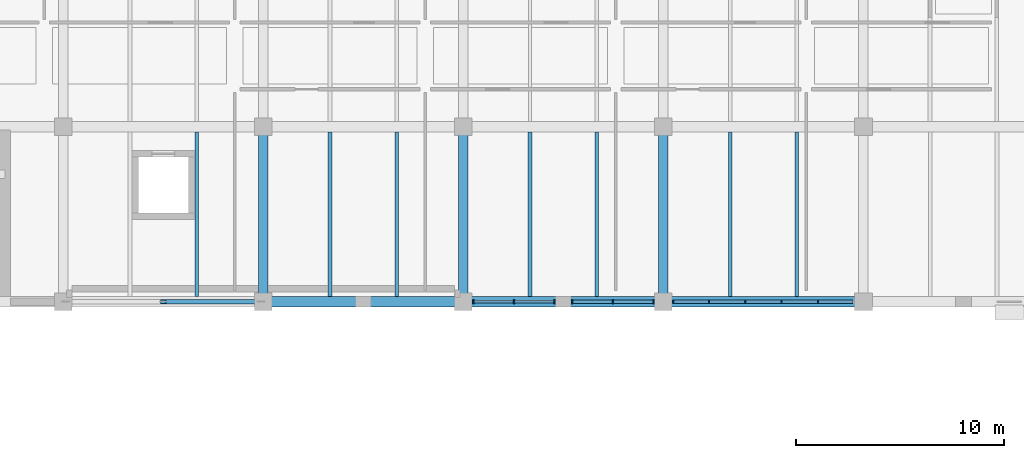
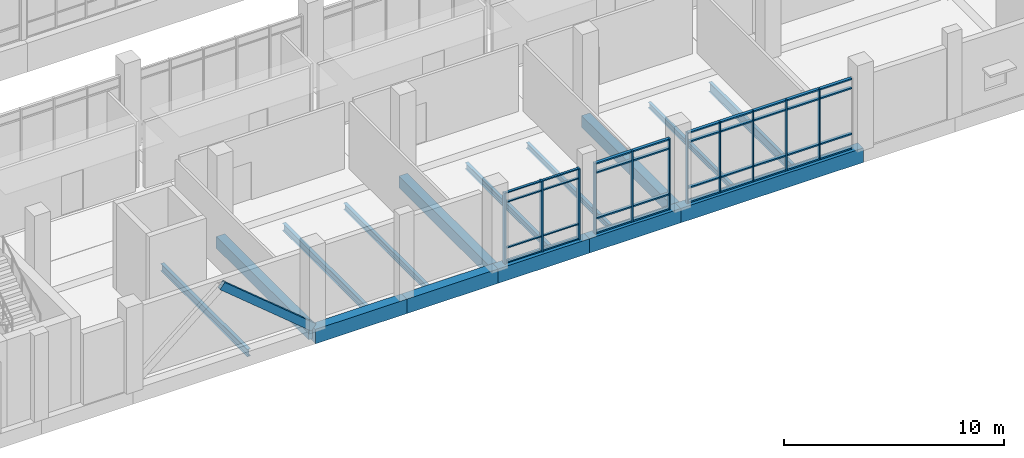
# One storey, part 45 of 152: 48 members, 15 beams, 3 elements without a shape of their own.
"""IFC4 building model written with IfcOpenShell, lengths in metres."""

from ifc_helpers import new_model, si_unit, direction, frame, origin, origin_2d, place, context, subcontext, project, spatial, rectangle, hollow_rectangle, i_section, extrude, material, material_profile, profile_set, type_object, element, aggregate, save


model = new_model("IFC4")

# Units and contexts
model_context = context("Model", 3, precision=1e-05, world=origin(), true_north=direction((0.0, 1.0)))
body_context = subcontext(model_context, "Body", "Model", "MODEL_VIEW")
ifc_project = project(units=[si_unit("LENGTHUNIT", "METRE"), si_unit("AREAUNIT", "SQUARE_METRE"), si_unit("VOLUMEUNIT", "CUBIC_METRE"), si_unit("PLANEANGLEUNIT", "RADIAN"), si_unit("MASSUNIT", "GRAM", prefix="KILO")], contexts=[model_context])

# Site, building, storey
site_placement = place(None, origin())
site = spatial("IfcSite", under=ifc_project, at=site_placement, CompositionType="ELEMENT")
building_placement = place(site_placement, origin())
building = spatial("IfcBuilding", under=site, at=building_placement, Name="Oolite Switchyard Hospital", CompositionType="ELEMENT")
storey_placement = place(building_placement, frame((0.0, 0.0, 5.10009765625)))
storey = spatial("IfcBuildingStorey", under=building, at=storey_placement, Name="L01", CompositionType="ELEMENT", Elevation=5.10009765625)

# Beams
ifc_material_1 = material(Name="Concrete C40/50", Category="concrete")
ifc_material_profile_1 = material_profile(ifc_material_1, rectangle(XDim=0.449951171875, YDim=0.64990234375, at=origin_2d()), Name="RCB450X650")
ifc_profile_set_1 = profile_set([ifc_material_profile_1], Name="Concrete C40/50")
beam_type_1 = type_object("IfcBeamType", Name="BM-RC450X650", PredefinedType="BEAM", material=ifc_profile_set_1)
for number, where, z_axis, x_axis, name in (
    (1, (163.199951171875, 8.39990234375, -0.3251953125), (0.0, 1.0, 0.0), (-1.0, 0.0, 0.0), "L01 Y-Girder 487"),
    (2, (172.800048828125, 8.39990234375, -0.3251953125), (0.0, 1.0, 0.0), (-1.0, 0.0, 0.0), "L01 Y-Girder 499"),
    (3, (182.39990234375, 8.39990234375, -0.3251953125), (0.0, 1.0, 0.0), (-1.0, 0.0, 0.0), "L01 Y-Girder 511"),
):
    element("IfcBeam", number, at=place(storey_placement, frame(where, z_axis=z_axis, x_axis=x_axis)), inside=storey, type_object=beam_type_1, Name=name, PredefinedType="BEAM", context=body_context, shape_type="SweptSolid", body=[
        extrude(rectangle(XDim=0.449951171875, YDim=0.64990234375, at=origin_2d()), origin(), (0.0, 0.0, 1.0), 8.400146484375),
    ])
ifc_material_profile_2 = material_profile(ifc_material_1, rectangle(XDim=0.5, YDim=0.800048828125, at=origin_2d()), Name="RCB500X800")
ifc_profile_set_2 = profile_set([ifc_material_profile_2], Name="Concrete C40/50")
beam_type_2 = type_object("IfcBeamType", Name="BM-RC500X800", PredefinedType="BEAM", material=ifc_profile_set_2)
for number, where, z_axis, x_axis, name in (
    (4, (163.199951171875, 8.39990234375, -0.400146484375), (1.0, 0.0, 0.0), (0.0, 1.0, 0.0), "L01 X-Girder 19"),
    (5, (168.0, 8.39990234375, -0.400146484375), (1.0, 0.0, 0.0), (0.0, 1.0, 0.0), "L01 X-Girder 20"),
    (6, (172.800048828125, 8.39990234375, -0.400146484375), (1.0, 0.0, 0.0), (0.0, 1.0, 0.0), "L01 X-Girder 21"),
):
    element("IfcBeam", number, at=place(storey_placement, frame(where, z_axis=z_axis, x_axis=x_axis)), inside=storey, type_object=beam_type_2, Name=name, PredefinedType="BEAM", context=body_context, shape_type="SweptSolid", body=[
        extrude(rectangle(XDim=0.5, YDim=0.800048828125, at=origin_2d()), origin(), (0.0, 0.0, 1.0), 4.800048828125),
    ])
beam_1_placement = place(storey_placement, frame((177.60009765625, 8.39990234375, -0.400146484375), z_axis=(1.0, 0.0, 0.0), x_axis=(0.0, 1.0, 0.0)))
element("IfcBeam", 7, at=beam_1_placement, inside=storey, type_object=beam_type_2, Name="L01 X-Girder 22", PredefinedType="BEAM", context=body_context, shape_type="SweptSolid", body=[
    extrude(rectangle(XDim=0.5, YDim=0.800048828125, at=origin_2d()), origin(), (0.0, 0.0, 1.0), 4.7998046875),
])
beam_2_placement = place(storey_placement, frame((182.39990234375, 8.39990234375, -0.400146484375), z_axis=(1.0, 0.0, 0.0), x_axis=(0.0, 1.0, 0.0)))
element("IfcBeam", 8, at=beam_2_placement, inside=storey, type_object=beam_type_2, Name="L01 X-Girder 23", PredefinedType="BEAM", context=body_context, shape_type="SweptSolid", body=[
    extrude(rectangle(XDim=0.5, YDim=0.800048828125, at=origin_2d()), origin(), (0.0, 0.0, 1.0), 9.60009765625),
])
ifc_material_2 = material(Name="Steel ASTM A992 Grade 50", Category="steel")
ifc_material_profile_3 = material_profile(ifc_material_2, i_section(OverallWidth=0.1650390625, OverallDepth=0.31005859375, WebThickness=0.006103515625, FlangeThickness=0.010009765625, at=origin_2d()), Name="W12X26")
ifc_profile_set_3 = profile_set([ifc_material_profile_3], Name="Steel ASTM A992 Grade 50")
beam_type_3 = type_object("IfcBeamType", Name="BM-W12X26", PredefinedType="JOIST", material=ifc_profile_set_3)
for number, where, z_axis, x_axis, name in (
    (9, (179.199951171875, 8.64990234375, -0.43017578125), (0.0, 1.0, 0.0), (-1.0, 0.0, 0.0), "L01 Secondary Steel Joist 913"),
    (10, (185.60009765625, 8.64990234375, -0.43017578125), (0.0, 1.0, 0.0), (-1.0, 0.0, 0.0), "L01 Secondary Steel Joist 928"),
):
    element("IfcBeam", number, at=place(storey_placement, frame(where, z_axis=z_axis, x_axis=x_axis)), inside=storey, type_object=beam_type_3, Name=name, PredefinedType="JOIST", context=body_context, shape_type="SweptSolid", body=[
        extrude(i_section(OverallWidth=0.1650390625, OverallDepth=0.31005859375, WebThickness=0.006103515625, FlangeThickness=0.010009765625, at=origin_2d()), origin(), (0.0, 0.0, 1.0), 7.900146484375),
    ])
ifc_material_profile_4 = material_profile(ifc_material_2, i_section(OverallWidth=0.1708984375, OverallDepth=0.35107421875, WebThickness=0.007080078125, FlangeThickness=0.010009765625, at=origin_2d()), Name="W14X30")
ifc_profile_set_4 = profile_set([ifc_material_profile_4], Name="Steel ASTM A992 Grade 50")
beam_type_4 = type_object("IfcBeamType", Name="BM-W14X30", PredefinedType="JOIST", material=ifc_profile_set_4)
for number, where, z_axis, x_axis, name in (
    (11, (169.60009765625, 8.64990234375, -0.4501953125), (0.0, 1.0, 0.0), (-1.0, 0.0, 0.0), "L01 Secondary Steel Joist 893"),
    (12, (176.0, 8.64990234375, -0.4501953125), (0.0, 1.0, 0.0), (-1.0, 0.0, 0.0), "L01 Secondary Steel Joist 912"),
):
    element("IfcBeam", number, at=place(storey_placement, frame(where, z_axis=z_axis, x_axis=x_axis)), inside=storey, type_object=beam_type_4, Name=name, PredefinedType="JOIST", context=body_context, shape_type="SweptSolid", body=[
        extrude(i_section(OverallWidth=0.1708984375, OverallDepth=0.35107421875, WebThickness=0.007080078125, FlangeThickness=0.010009765625, at=origin_2d()), origin(), (0.0, 0.0, 1.0), 7.900146484375),
    ])
ifc_material_profile_5 = material_profile(ifc_material_2, i_section(OverallWidth=0.177978515625, OverallDepth=0.403076171875, WebThickness=0.008056640625, FlangeThickness=0.010986328125, at=origin_2d()), Name="W16X36")
ifc_profile_set_5 = profile_set([ifc_material_profile_5], Name="Steel ASTM A992 Grade 50")
beam_type_5 = type_object("IfcBeamType", Name="BM-W16X36", PredefinedType="JOIST", material=ifc_profile_set_5)
for number, where, z_axis, x_axis, name in (
    (13, (160.0, 8.64990234375, -0.47705078125), (0.0, 1.0, 0.0), (-1.0, 0.0, 0.0), "L01 Secondary Steel Joist 873"),
    (14, (166.39990234375, 8.64990234375, -0.47705078125), (0.0, 1.0, 0.0), (-1.0, 0.0, 0.0), "L01 Secondary Steel Joist 892"),
):
    element("IfcBeam", number, at=place(storey_placement, frame(where, z_axis=z_axis, x_axis=x_axis)), inside=storey, type_object=beam_type_5, Name=name, PredefinedType="JOIST", context=body_context, shape_type="SweptSolid", body=[
        extrude(i_section(OverallWidth=0.177978515625, OverallDepth=0.403076171875, WebThickness=0.008056640625, FlangeThickness=0.010986328125, at=origin_2d()), origin(), (0.0, 0.0, 1.0), 7.900146484375),
    ])
ifc_material_profile_6 = material_profile(ifc_material_2, i_section(OverallWidth=0.166015625, OverallDepth=0.529052734375, WebThickness=0.010009765625, FlangeThickness=0.013916015625, at=origin_2d()), Name="W21X50")
ifc_profile_set_6 = profile_set([ifc_material_profile_6], Name="Steel ASTM A992 Grade 50")
beam_type_6 = type_object("IfcBeamType", Name="BM-W21X50", PredefinedType="JOIST", material=ifc_profile_set_6)
beam_3_placement = place(storey_placement, frame((188.800048828125, 8.64990234375, -0.5400390625), z_axis=(0.0, 1.0, 0.0), x_axis=(-1.0, 0.0, 0.0)))
element("IfcBeam", 15, at=beam_3_placement, inside=storey, type_object=beam_type_6, Name="L01 Secondary Steel Joist 929", PredefinedType="JOIST", context=body_context, shape_type="SweptSolid", body=[
    extrude(i_section(OverallWidth=0.166015625, OverallDepth=0.529052734375, WebThickness=0.010009765625, FlangeThickness=0.013916015625, at=origin_2d()), origin(), (0.0, 0.0, 1.0), 7.900146484375),
])

# Curtain wall, members
ifc_material_3 = material(Name="Thermally broken aluminum frame with laminated impact glazing", Category="aluminium")
curtain_wall_type_1 = type_object("IfcCurtainWallType", Name="CW-UNIT-96X48", PredefinedType="USERDEFINED", material=ifc_material_3)
curtain_wall_1_placement = place(storey_placement, origin())
curtain_wall_1 = element("IfcCurtainWall", 16, at=curtain_wall_1_placement, inside=storey, type_object=curtain_wall_type_1, Name="L01 Unitised Curtain Wall 101", ObjectType="UNITISED", PredefinedType="USERDEFINED")
ifc_material_4 = material(Name="Aluminium 6063-T6", Category="aluminium")
ifc_material_profile_7 = material_profile(ifc_material_4, rectangle(XDim=0.159912109375, YDim=0.06005859375, at=origin_2d()), Name="CWM60X160")
ifc_profile_set_7 = profile_set([ifc_material_profile_7], Name="Aluminium 6063-T6")
member_type_1 = type_object("IfcMemberType", Name="CW-MUL-180", PredefinedType="MULLION", material=ifc_profile_set_7)
member_1_placement = place(storey_placement, frame((189.81591796875, 8.39990234375, 0.0), z_axis=(0.0, 0.0, 1.0), x_axis=(0.0, -1.0, 0.0)))
member_1 = element("IfcMember", 17, at=member_1_placement, type_object=member_type_1, Name="CW-02 mullion 2", PredefinedType="MULLION", context=body_context, shape_type="SweptSolid", body=[
    extrude(rectangle(XDim=0.159912109375, YDim=0.06005859375, at=origin_2d()), origin(), (0.0, 0.0, 1.0), 3.93994140625),
])
member_2_placement = place(storey_placement, frame((188.072021484375, 8.39990234375, 0.0), z_axis=(0.0, 0.0, 1.0), x_axis=(0.0, -1.0, 0.0)))
member_2 = element("IfcMember", 18, at=member_2_placement, type_object=member_type_1, Name="CW-02 mullion 3", PredefinedType="MULLION", context=body_context, shape_type="SweptSolid", body=[
    extrude(rectangle(XDim=0.159912109375, YDim=0.06005859375, at=origin_2d()), origin(), (0.0, 0.0, 1.0), 3.93994140625),
])
member_3_placement = place(storey_placement, frame((186.327880859375, 8.39990234375, 0.0), z_axis=(0.0, 0.0, 1.0), x_axis=(0.0, -1.0, 0.0)))
member_3 = element("IfcMember", 19, at=member_3_placement, type_object=member_type_1, Name="CW-02 mullion 4", PredefinedType="MULLION", context=body_context, shape_type="SweptSolid", body=[
    extrude(rectangle(XDim=0.159912109375, YDim=0.06005859375, at=origin_2d()), origin(), (0.0, 0.0, 1.0), 3.93994140625),
])
member_4_placement = place(storey_placement, frame((184.583984375, 8.39990234375, 0.0), z_axis=(0.0, 0.0, 1.0), x_axis=(0.0, -1.0, 0.0)))
member_4 = element("IfcMember", 20, at=member_4_placement, type_object=member_type_1, Name="CW-02 mullion 5", PredefinedType="MULLION", context=body_context, shape_type="SweptSolid", body=[
    extrude(rectangle(XDim=0.159912109375, YDim=0.06005859375, at=origin_2d()), origin(), (0.0, 0.0, 1.0), 3.93994140625),
])
member_5_placement = place(storey_placement, frame((182.8701171875, 8.39990234375, 0.0), z_axis=(0.0, 0.0, 1.0), x_axis=(0.0, -1.0, 0.0)))
member_5 = element("IfcMember", 21, at=member_5_placement, type_object=member_type_1, Name="CW-02 mullion 6", PredefinedType="MULLION", context=body_context, shape_type="SweptSolid", body=[
    extrude(rectangle(XDim=0.159912109375, YDim=0.06005859375, at=origin_2d()), origin(), (0.0, 0.0, 1.0), 3.93994140625),
])

curtain_wall_type_2 = type_object("IfcCurtainWallType", Name="CW-UNIT-84X48", PredefinedType="USERDEFINED", material=ifc_material_3)
curtain_wall_2_placement = place(storey_placement, origin())
curtain_wall_2 = element("IfcCurtainWall", 22, at=curtain_wall_2_placement, inside=storey, type_object=curtain_wall_type_2, Name="L01 Unitised Curtain Wall 99", ObjectType="UNITISED", PredefinedType="USERDEFINED")
ifc_material_profile_8 = material_profile(ifc_material_4, rectangle(XDim=0.179931640625, YDim=0.070068359375, at=origin_2d()), Name="CWM70X180")
ifc_profile_set_8 = profile_set([ifc_material_profile_8], Name="Aluminium 6063-T6")
member_type_2 = type_object("IfcMemberType", Name="CW-MUL-220", PredefinedType="MULLION", material=ifc_profile_set_8)
member_6_placement = place(storey_placement, frame((181.925048828125, 8.39990234375, 0.0), z_axis=(0.0, 0.0, 1.0), x_axis=(0.0, -1.0, 0.0)))
member_6 = element("IfcMember", 23, at=member_6_placement, type_object=member_type_2, Name="CW-07 mullion 1", PredefinedType="MULLION", context=body_context, shape_type="SweptSolid", body=[
    extrude(rectangle(XDim=0.179931640625, YDim=0.070068359375, at=origin_2d()), origin(), (0.0, 0.0, 1.0), 3.93994140625),
])
member_7_placement = place(storey_placement, frame((179.97509765625, 8.39990234375, 0.0), z_axis=(0.0, 0.0, 1.0), x_axis=(0.0, -1.0, 0.0)))
member_7 = element("IfcMember", 24, at=member_7_placement, type_object=member_type_2, Name="CW-07 mullion 2", PredefinedType="MULLION", context=body_context, shape_type="SweptSolid", body=[
    extrude(rectangle(XDim=0.179931640625, YDim=0.070068359375, at=origin_2d()), origin(), (0.0, 0.0, 1.0), 3.93994140625),
])
member_8_placement = place(storey_placement, frame((178.02490234375, 8.39990234375, 0.0), z_axis=(0.0, 0.0, 1.0), x_axis=(0.0, -1.0, 0.0)))
member_8 = element("IfcMember", 25, at=member_8_placement, type_object=member_type_2, Name="CW-07 mullion 3", PredefinedType="MULLION", context=body_context, shape_type="SweptSolid", body=[
    extrude(rectangle(XDim=0.179931640625, YDim=0.070068359375, at=origin_2d()), origin(), (0.0, 0.0, 1.0), 3.93994140625),
])

curtain_wall_3_placement = place(storey_placement, origin())
curtain_wall_3 = element("IfcCurtainWall", 26, at=curtain_wall_3_placement, inside=storey, type_object=curtain_wall_type_2, Name="L01 Unitised Curtain Wall 100", ObjectType="UNITISED", PredefinedType="USERDEFINED")
ifc_material_profile_9 = material_profile(ifc_material_4, rectangle(XDim=0.199951171875, YDim=0.074951171875, at=origin_2d()), Name="CWM75X200")
ifc_profile_set_9 = profile_set([ifc_material_profile_9], Name="Aluminium 6063-T6")
member_type_3 = type_object("IfcMemberType", Name="CW-MUL-260", PredefinedType="MULLION", material=ifc_profile_set_9)
member_9_placement = place(storey_placement, frame((177.172607421875, 8.39990234375, 0.0), z_axis=(0.0, 0.0, 1.0), x_axis=(0.0, -1.0, 0.0)))
member_9 = element("IfcMember", 27, at=member_9_placement, type_object=member_type_3, Name="CW-07 mullion 1", PredefinedType="MULLION", context=body_context, shape_type="SweptSolid", body=[
    extrude(rectangle(XDim=0.199951171875, YDim=0.074951171875, at=origin_2d()), origin(), (0.0, 0.0, 1.0), 3.93994140625),
])
member_10_placement = place(storey_placement, frame((175.22509765625, 8.39990234375, 0.0), z_axis=(0.0, 0.0, 1.0), x_axis=(0.0, -1.0, 0.0)))
member_10 = element("IfcMember", 28, at=member_10_placement, type_object=member_type_3, Name="CW-07 mullion 2", PredefinedType="MULLION", context=body_context, shape_type="SweptSolid", body=[
    extrude(rectangle(XDim=0.199951171875, YDim=0.074951171875, at=origin_2d()), origin(), (0.0, 0.0, 1.0), 3.93994140625),
])
member_11_placement = place(storey_placement, frame((173.277587890625, 8.39990234375, 0.0), z_axis=(0.0, 0.0, 1.0), x_axis=(0.0, -1.0, 0.0)))
member_11 = element("IfcMember", 29, at=member_11_placement, type_object=member_type_3, Name="CW-07 mullion 3", PredefinedType="MULLION", context=body_context, shape_type="SweptSolid", body=[
    extrude(rectangle(XDim=0.199951171875, YDim=0.074951171875, at=origin_2d()), origin(), (0.0, 0.0, 1.0), 3.93994140625),
])
ifc_material_profile_10 = material_profile(ifc_material_4, rectangle(XDim=0.1201171875, YDim=0.06005859375, at=origin_2d()), Name="CWT60X120")
ifc_profile_set_10 = profile_set([ifc_material_profile_10], Name="Aluminium 6063-T6")
member_type_4 = type_object("IfcMemberType", Name="CW-TRN-150", PredefinedType="USERDEFINED", material=ifc_profile_set_10)
member_12_placement = place(storey_placement, frame((177.135009765625, 8.39990234375, 0.02978515625), z_axis=(-1.0, 0.0, 0.0), x_axis=(0.0, -1.0, 0.0)))
member_12 = element("IfcMember", 30, at=member_12_placement, type_object=member_type_4, Name="CW-07 transom 1.1", ObjectType="TRANSOM", PredefinedType="USERDEFINED", context=body_context, shape_type="SweptSolid", body=[
    extrude(rectangle(XDim=0.1201171875, YDim=0.06005859375, at=origin_2d()), origin(), (0.0, 0.0, 1.0), 1.87255859375),
])
member_13_placement = place(storey_placement, frame((177.135009765625, 8.39990234375, 0.849853515625), z_axis=(-1.0, 0.0, 0.0), x_axis=(0.0, -1.0, 0.0)))
member_13 = element("IfcMember", 31, at=member_13_placement, type_object=member_type_4, Name="CW-07 transom 1.2", ObjectType="TRANSOM", PredefinedType="USERDEFINED", context=body_context, shape_type="SweptSolid", body=[
    extrude(rectangle(XDim=0.1201171875, YDim=0.06005859375, at=origin_2d()), origin(), (0.0, 0.0, 1.0), 1.87255859375),
])
member_14_placement = place(storey_placement, frame((177.135009765625, 8.39990234375, 3.389892578125), z_axis=(-1.0, 0.0, 0.0), x_axis=(0.0, -1.0, 0.0)))
member_14 = element("IfcMember", 32, at=member_14_placement, type_object=member_type_4, Name="CW-07 transom 1.3", ObjectType="TRANSOM", PredefinedType="USERDEFINED", context=body_context, shape_type="SweptSolid", body=[
    extrude(rectangle(XDim=0.1201171875, YDim=0.06005859375, at=origin_2d()), origin(), (0.0, 0.0, 1.0), 1.87255859375),
])
member_15_placement = place(storey_placement, frame((177.135009765625, 8.39990234375, 3.909912109375), z_axis=(-1.0, 0.0, 0.0), x_axis=(0.0, -1.0, 0.0)))
member_15 = element("IfcMember", 33, at=member_15_placement, type_object=member_type_4, Name="CW-07 transom 1.4", ObjectType="TRANSOM", PredefinedType="USERDEFINED", context=body_context, shape_type="SweptSolid", body=[
    extrude(rectangle(XDim=0.1201171875, YDim=0.06005859375, at=origin_2d()), origin(), (0.0, 0.0, 1.0), 1.87255859375),
])
member_16_placement = place(storey_placement, frame((175.1875, 8.39990234375, 0.02978515625), z_axis=(-1.0, 0.0, 0.0), x_axis=(0.0, -1.0, 0.0)))
member_16 = element("IfcMember", 34, at=member_16_placement, type_object=member_type_4, Name="CW-07 transom 2.1", ObjectType="TRANSOM", PredefinedType="USERDEFINED", context=body_context, shape_type="SweptSolid", body=[
    extrude(rectangle(XDim=0.1201171875, YDim=0.06005859375, at=origin_2d()), origin(), (0.0, 0.0, 1.0), 1.87255859375),
])
member_17_placement = place(storey_placement, frame((175.1875, 8.39990234375, 0.849853515625), z_axis=(-1.0, 0.0, 0.0), x_axis=(0.0, -1.0, 0.0)))
member_17 = element("IfcMember", 35, at=member_17_placement, type_object=member_type_4, Name="CW-07 transom 2.2", ObjectType="TRANSOM", PredefinedType="USERDEFINED", context=body_context, shape_type="SweptSolid", body=[
    extrude(rectangle(XDim=0.1201171875, YDim=0.06005859375, at=origin_2d()), origin(), (0.0, 0.0, 1.0), 1.87255859375),
])
member_18_placement = place(storey_placement, frame((175.1875, 8.39990234375, 3.389892578125), z_axis=(-1.0, 0.0, 0.0), x_axis=(0.0, -1.0, 0.0)))
member_18 = element("IfcMember", 36, at=member_18_placement, type_object=member_type_4, Name="CW-07 transom 2.3", ObjectType="TRANSOM", PredefinedType="USERDEFINED", context=body_context, shape_type="SweptSolid", body=[
    extrude(rectangle(XDim=0.1201171875, YDim=0.06005859375, at=origin_2d()), origin(), (0.0, 0.0, 1.0), 1.87255859375),
])
member_19_placement = place(storey_placement, frame((175.1875, 8.39990234375, 3.909912109375), z_axis=(-1.0, 0.0, 0.0), x_axis=(0.0, -1.0, 0.0)))
member_19 = element("IfcMember", 37, at=member_19_placement, type_object=member_type_4, Name="CW-07 transom 2.4", ObjectType="TRANSOM", PredefinedType="USERDEFINED", context=body_context, shape_type="SweptSolid", body=[
    extrude(rectangle(XDim=0.1201171875, YDim=0.06005859375, at=origin_2d()), origin(), (0.0, 0.0, 1.0), 1.87255859375),
])
aggregate(curtain_wall_3, [member_9, member_10, member_11, member_12, member_13, member_14, member_15, member_16, member_17, member_18, member_19])

# Member
ifc_material_profile_11 = material_profile(ifc_material_4, rectangle(XDim=0.159912109375, YDim=0.074951171875, at=origin_2d()), Name="CWT75X160")
ifc_profile_set_11 = profile_set([ifc_material_profile_11], Name="Aluminium 6063-T6")
member_type_5 = type_object("IfcMemberType", Name="CW-TRN-180", PredefinedType="USERDEFINED", material=ifc_profile_set_11)
member_20_placement = place(storey_placement, frame((181.889892578125, 8.39990234375, 0.037353515625), z_axis=(-1.0, 0.0, 0.0), x_axis=(0.0, -1.0, 0.0)))
member_20 = element("IfcMember", 38, at=member_20_placement, type_object=member_type_5, Name="CW-07 transom 1.1", ObjectType="TRANSOM", PredefinedType="USERDEFINED", context=body_context, shape_type="SweptSolid", body=[
    extrude(rectangle(XDim=0.159912109375, YDim=0.074951171875, at=origin_2d()), origin(), (0.0, 0.0, 1.0), 1.8798828125),
])

member_21_placement = place(storey_placement, frame((181.889892578125, 8.39990234375, 0.849853515625), z_axis=(-1.0, 0.0, 0.0), x_axis=(0.0, -1.0, 0.0)))
member_21 = element("IfcMember", 39, at=member_21_placement, type_object=member_type_5, Name="CW-07 transom 1.2", ObjectType="TRANSOM", PredefinedType="USERDEFINED", context=body_context, shape_type="SweptSolid", body=[
    extrude(rectangle(XDim=0.159912109375, YDim=0.074951171875, at=origin_2d()), origin(), (0.0, 0.0, 1.0), 1.8798828125),
])

member_22_placement = place(storey_placement, frame((181.889892578125, 8.39990234375, 3.389892578125), z_axis=(-1.0, 0.0, 0.0), x_axis=(0.0, -1.0, 0.0)))
member_22 = element("IfcMember", 40, at=member_22_placement, type_object=member_type_5, Name="CW-07 transom 1.3", ObjectType="TRANSOM", PredefinedType="USERDEFINED", context=body_context, shape_type="SweptSolid", body=[
    extrude(rectangle(XDim=0.159912109375, YDim=0.074951171875, at=origin_2d()), origin(), (0.0, 0.0, 1.0), 1.8798828125),
])

member_23_placement = place(storey_placement, frame((181.889892578125, 8.39990234375, 3.90234375), z_axis=(-1.0, 0.0, 0.0), x_axis=(0.0, -1.0, 0.0)))
member_23 = element("IfcMember", 41, at=member_23_placement, type_object=member_type_5, Name="CW-07 transom 1.4", ObjectType="TRANSOM", PredefinedType="USERDEFINED", context=body_context, shape_type="SweptSolid", body=[
    extrude(rectangle(XDim=0.159912109375, YDim=0.074951171875, at=origin_2d()), origin(), (0.0, 0.0, 1.0), 1.8798828125),
])

member_24_placement = place(storey_placement, frame((179.93994140625, 8.39990234375, 0.037353515625), z_axis=(-1.0, 0.0, 0.0), x_axis=(0.0, -1.0, 0.0)))
member_24 = element("IfcMember", 42, at=member_24_placement, type_object=member_type_5, Name="CW-07 transom 2.1", ObjectType="TRANSOM", PredefinedType="USERDEFINED", context=body_context, shape_type="SweptSolid", body=[
    extrude(rectangle(XDim=0.159912109375, YDim=0.074951171875, at=origin_2d()), origin(), (0.0, 0.0, 1.0), 1.8798828125),
])

member_25_placement = place(storey_placement, frame((179.93994140625, 8.39990234375, 0.849853515625), z_axis=(-1.0, 0.0, 0.0), x_axis=(0.0, -1.0, 0.0)))
member_25 = element("IfcMember", 43, at=member_25_placement, type_object=member_type_5, Name="CW-07 transom 2.2", ObjectType="TRANSOM", PredefinedType="USERDEFINED", context=body_context, shape_type="SweptSolid", body=[
    extrude(rectangle(XDim=0.159912109375, YDim=0.074951171875, at=origin_2d()), origin(), (0.0, 0.0, 1.0), 1.8798828125),
])

member_26_placement = place(storey_placement, frame((179.93994140625, 8.39990234375, 3.389892578125), z_axis=(-1.0, 0.0, 0.0), x_axis=(0.0, -1.0, 0.0)))
member_26 = element("IfcMember", 44, at=member_26_placement, type_object=member_type_5, Name="CW-07 transom 2.3", ObjectType="TRANSOM", PredefinedType="USERDEFINED", context=body_context, shape_type="SweptSolid", body=[
    extrude(rectangle(XDim=0.159912109375, YDim=0.074951171875, at=origin_2d()), origin(), (0.0, 0.0, 1.0), 1.8798828125),
])

member_27_placement = place(storey_placement, frame((179.93994140625, 8.39990234375, 3.90234375), z_axis=(-1.0, 0.0, 0.0), x_axis=(0.0, -1.0, 0.0)))
member_27 = element("IfcMember", 45, at=member_27_placement, type_object=member_type_5, Name="CW-07 transom 2.4", ObjectType="TRANSOM", PredefinedType="USERDEFINED", context=body_context, shape_type="SweptSolid", body=[
    extrude(rectangle(XDim=0.159912109375, YDim=0.074951171875, at=origin_2d()), origin(), (0.0, 0.0, 1.0), 1.8798828125),
])

aggregate(curtain_wall_2, [member_6, member_7, member_8, member_20, member_21, member_22, member_23, member_24, member_25, member_26, member_27])

member_28_placement = place(storey_placement, frame((191.5, 8.39990234375, 0.037353515625), z_axis=(-1.0, 0.0, 0.0), x_axis=(0.0, -1.0, 0.0)))
member_28 = element("IfcMember", 46, at=member_28_placement, type_object=member_type_5, Name="CW-02 transom 1.1", ObjectType="TRANSOM", PredefinedType="USERDEFINED", context=body_context, shape_type="SweptSolid", body=[
    extrude(rectangle(XDim=0.159912109375, YDim=0.074951171875, at=origin_2d()), origin(), (0.0, 0.0, 1.0), 1.654052734375),
])

member_29_placement = place(storey_placement, frame((191.5, 8.39990234375, 0.849853515625), z_axis=(-1.0, 0.0, 0.0), x_axis=(0.0, -1.0, 0.0)))
member_29 = element("IfcMember", 47, at=member_29_placement, type_object=member_type_5, Name="CW-02 transom 1.2", ObjectType="TRANSOM", PredefinedType="USERDEFINED", context=body_context, shape_type="SweptSolid", body=[
    extrude(rectangle(XDim=0.159912109375, YDim=0.074951171875, at=origin_2d()), origin(), (0.0, 0.0, 1.0), 1.654052734375),
])

member_30_placement = place(storey_placement, frame((191.5, 8.39990234375, 3.389892578125), z_axis=(-1.0, 0.0, 0.0), x_axis=(0.0, -1.0, 0.0)))
member_30 = element("IfcMember", 48, at=member_30_placement, type_object=member_type_5, Name="CW-02 transom 1.3", ObjectType="TRANSOM", PredefinedType="USERDEFINED", context=body_context, shape_type="SweptSolid", body=[
    extrude(rectangle(XDim=0.159912109375, YDim=0.074951171875, at=origin_2d()), origin(), (0.0, 0.0, 1.0), 1.654052734375),
])

member_31_placement = place(storey_placement, frame((191.5, 8.39990234375, 3.90234375), z_axis=(-1.0, 0.0, 0.0), x_axis=(0.0, -1.0, 0.0)))
member_31 = element("IfcMember", 49, at=member_31_placement, type_object=member_type_5, Name="CW-02 transom 1.4", ObjectType="TRANSOM", PredefinedType="USERDEFINED", context=body_context, shape_type="SweptSolid", body=[
    extrude(rectangle(XDim=0.159912109375, YDim=0.074951171875, at=origin_2d()), origin(), (0.0, 0.0, 1.0), 1.654052734375),
])

member_32_placement = place(storey_placement, frame((189.785888671875, 8.39990234375, 0.037353515625), z_axis=(-1.0, 0.0, 0.0), x_axis=(0.0, -1.0, 0.0)))
member_32 = element("IfcMember", 50, at=member_32_placement, type_object=member_type_5, Name="CW-02 transom 2.1", ObjectType="TRANSOM", PredefinedType="USERDEFINED", context=body_context, shape_type="SweptSolid", body=[
    extrude(rectangle(XDim=0.159912109375, YDim=0.074951171875, at=origin_2d()), origin(), (0.0, 0.0, 1.0), 1.683837890625),
])

member_33_placement = place(storey_placement, frame((189.785888671875, 8.39990234375, 0.849853515625), z_axis=(-1.0, 0.0, 0.0), x_axis=(0.0, -1.0, 0.0)))
member_33 = element("IfcMember", 51, at=member_33_placement, type_object=member_type_5, Name="CW-02 transom 2.2", ObjectType="TRANSOM", PredefinedType="USERDEFINED", context=body_context, shape_type="SweptSolid", body=[
    extrude(rectangle(XDim=0.159912109375, YDim=0.074951171875, at=origin_2d()), origin(), (0.0, 0.0, 1.0), 1.683837890625),
])

member_34_placement = place(storey_placement, frame((189.785888671875, 8.39990234375, 3.389892578125), z_axis=(-1.0, 0.0, 0.0), x_axis=(0.0, -1.0, 0.0)))
member_34 = element("IfcMember", 52, at=member_34_placement, type_object=member_type_5, Name="CW-02 transom 2.3", ObjectType="TRANSOM", PredefinedType="USERDEFINED", context=body_context, shape_type="SweptSolid", body=[
    extrude(rectangle(XDim=0.159912109375, YDim=0.074951171875, at=origin_2d()), origin(), (0.0, 0.0, 1.0), 1.683837890625),
])

member_35_placement = place(storey_placement, frame((189.785888671875, 8.39990234375, 3.90234375), z_axis=(-1.0, 0.0, 0.0), x_axis=(0.0, -1.0, 0.0)))
member_35 = element("IfcMember", 53, at=member_35_placement, type_object=member_type_5, Name="CW-02 transom 2.4", ObjectType="TRANSOM", PredefinedType="USERDEFINED", context=body_context, shape_type="SweptSolid", body=[
    extrude(rectangle(XDim=0.159912109375, YDim=0.074951171875, at=origin_2d()), origin(), (0.0, 0.0, 1.0), 1.683837890625),
])

member_36_placement = place(storey_placement, frame((188.0419921875, 8.39990234375, 0.037353515625), z_axis=(-1.0, 0.0, 0.0), x_axis=(0.0, -1.0, 0.0)))
member_36 = element("IfcMember", 54, at=member_36_placement, type_object=member_type_5, Name="CW-02 transom 3.1", ObjectType="TRANSOM", PredefinedType="USERDEFINED", context=body_context, shape_type="SweptSolid", body=[
    extrude(rectangle(XDim=0.159912109375, YDim=0.074951171875, at=origin_2d()), origin(), (0.0, 0.0, 1.0), 1.68408203125),
])

member_37_placement = place(storey_placement, frame((188.0419921875, 8.39990234375, 0.849853515625), z_axis=(-1.0, 0.0, 0.0), x_axis=(0.0, -1.0, 0.0)))
member_37 = element("IfcMember", 55, at=member_37_placement, type_object=member_type_5, Name="CW-02 transom 3.2", ObjectType="TRANSOM", PredefinedType="USERDEFINED", context=body_context, shape_type="SweptSolid", body=[
    extrude(rectangle(XDim=0.159912109375, YDim=0.074951171875, at=origin_2d()), origin(), (0.0, 0.0, 1.0), 1.68408203125),
])

member_38_placement = place(storey_placement, frame((188.0419921875, 8.39990234375, 3.389892578125), z_axis=(-1.0, 0.0, 0.0), x_axis=(0.0, -1.0, 0.0)))
member_38 = element("IfcMember", 56, at=member_38_placement, type_object=member_type_5, Name="CW-02 transom 3.3", ObjectType="TRANSOM", PredefinedType="USERDEFINED", context=body_context, shape_type="SweptSolid", body=[
    extrude(rectangle(XDim=0.159912109375, YDim=0.074951171875, at=origin_2d()), origin(), (0.0, 0.0, 1.0), 1.68408203125),
])

member_39_placement = place(storey_placement, frame((188.0419921875, 8.39990234375, 3.90234375), z_axis=(-1.0, 0.0, 0.0), x_axis=(0.0, -1.0, 0.0)))
member_39 = element("IfcMember", 57, at=member_39_placement, type_object=member_type_5, Name="CW-02 transom 3.4", ObjectType="TRANSOM", PredefinedType="USERDEFINED", context=body_context, shape_type="SweptSolid", body=[
    extrude(rectangle(XDim=0.159912109375, YDim=0.074951171875, at=origin_2d()), origin(), (0.0, 0.0, 1.0), 1.68408203125),
])

member_40_placement = place(storey_placement, frame((186.298095703125, 8.39990234375, 0.037353515625), z_axis=(-1.0, 0.0, 0.0), x_axis=(0.0, -1.0, 0.0)))
member_40 = element("IfcMember", 58, at=member_40_placement, type_object=member_type_5, Name="CW-02 transom 4.1", ObjectType="TRANSOM", PredefinedType="USERDEFINED", context=body_context, shape_type="SweptSolid", body=[
    extrude(rectangle(XDim=0.159912109375, YDim=0.074951171875, at=origin_2d()), origin(), (0.0, 0.0, 1.0), 1.68408203125),
])

member_41_placement = place(storey_placement, frame((186.298095703125, 8.39990234375, 0.849853515625), z_axis=(-1.0, 0.0, 0.0), x_axis=(0.0, -1.0, 0.0)))
member_41 = element("IfcMember", 59, at=member_41_placement, type_object=member_type_5, Name="CW-02 transom 4.2", ObjectType="TRANSOM", PredefinedType="USERDEFINED", context=body_context, shape_type="SweptSolid", body=[
    extrude(rectangle(XDim=0.159912109375, YDim=0.074951171875, at=origin_2d()), origin(), (0.0, 0.0, 1.0), 1.68408203125),
])

member_42_placement = place(storey_placement, frame((186.298095703125, 8.39990234375, 3.389892578125), z_axis=(-1.0, 0.0, 0.0), x_axis=(0.0, -1.0, 0.0)))
member_42 = element("IfcMember", 60, at=member_42_placement, type_object=member_type_5, Name="CW-02 transom 4.3", ObjectType="TRANSOM", PredefinedType="USERDEFINED", context=body_context, shape_type="SweptSolid", body=[
    extrude(rectangle(XDim=0.159912109375, YDim=0.074951171875, at=origin_2d()), origin(), (0.0, 0.0, 1.0), 1.68408203125),
])

member_43_placement = place(storey_placement, frame((186.298095703125, 8.39990234375, 3.90234375), z_axis=(-1.0, 0.0, 0.0), x_axis=(0.0, -1.0, 0.0)))
member_43 = element("IfcMember", 61, at=member_43_placement, type_object=member_type_5, Name="CW-02 transom 4.4", ObjectType="TRANSOM", PredefinedType="USERDEFINED", context=body_context, shape_type="SweptSolid", body=[
    extrude(rectangle(XDim=0.159912109375, YDim=0.074951171875, at=origin_2d()), origin(), (0.0, 0.0, 1.0), 1.68408203125),
])

member_44_placement = place(storey_placement, frame((184.553955078125, 8.39990234375, 0.037353515625), z_axis=(-1.0, 0.0, 0.0), x_axis=(0.0, -1.0, 0.0)))
member_44 = element("IfcMember", 62, at=member_44_placement, type_object=member_type_5, Name="CW-02 transom 5.1", ObjectType="TRANSOM", PredefinedType="USERDEFINED", context=body_context, shape_type="SweptSolid", body=[
    extrude(rectangle(XDim=0.159912109375, YDim=0.074951171875, at=origin_2d()), origin(), (0.0, 0.0, 1.0), 1.654052734375),
])

member_45_placement = place(storey_placement, frame((184.553955078125, 8.39990234375, 0.849853515625), z_axis=(-1.0, 0.0, 0.0), x_axis=(0.0, -1.0, 0.0)))
member_45 = element("IfcMember", 63, at=member_45_placement, type_object=member_type_5, Name="CW-02 transom 5.2", ObjectType="TRANSOM", PredefinedType="USERDEFINED", context=body_context, shape_type="SweptSolid", body=[
    extrude(rectangle(XDim=0.159912109375, YDim=0.074951171875, at=origin_2d()), origin(), (0.0, 0.0, 1.0), 1.654052734375),
])

member_46_placement = place(storey_placement, frame((184.553955078125, 8.39990234375, 3.389892578125), z_axis=(-1.0, 0.0, 0.0), x_axis=(0.0, -1.0, 0.0)))
member_46 = element("IfcMember", 64, at=member_46_placement, type_object=member_type_5, Name="CW-02 transom 5.3", ObjectType="TRANSOM", PredefinedType="USERDEFINED", context=body_context, shape_type="SweptSolid", body=[
    extrude(rectangle(XDim=0.159912109375, YDim=0.074951171875, at=origin_2d()), origin(), (0.0, 0.0, 1.0), 1.654052734375),
])

member_47_placement = place(storey_placement, frame((184.553955078125, 8.39990234375, 3.90234375), z_axis=(-1.0, 0.0, 0.0), x_axis=(0.0, -1.0, 0.0)))
member_47 = element("IfcMember", 65, at=member_47_placement, type_object=member_type_5, Name="CW-02 transom 5.4", ObjectType="TRANSOM", PredefinedType="USERDEFINED", context=body_context, shape_type="SweptSolid", body=[
    extrude(rectangle(XDim=0.159912109375, YDim=0.074951171875, at=origin_2d()), origin(), (0.0, 0.0, 1.0), 1.654052734375),
])

aggregate(curtain_wall_1, [member_1, member_2, member_3, member_4, member_5, member_28, member_29, member_30, member_31, member_32, member_33, member_34, member_35, member_36, member_37, member_38, member_39, member_40, member_41, member_42, member_43, member_44, member_45, member_46, member_47])

ifc_material_5 = material(Name="Steel ASTM A500 Grade C", Category="steel")
ifc_material_profile_12 = material_profile(ifc_material_5, hollow_rectangle(XDim=0.202880859375, YDim=0.406005859375, WallThickness=0.012939453125, at=origin_2d()), Name="HSS406X203X13")
ifc_profile_set_12 = profile_set([ifc_material_profile_12], Name="Steel ASTM A500 Grade C")
member_type_6 = type_object("IfcMemberType", Name="MEM-BR-RHS406", PredefinedType="BRACE", material=ifc_profile_set_12)
member_48_placement = place(storey_placement, frame((163.199951171875, 8.39990234375, 0.02001953125), z_axis=(-0.769801128464, 0.0, 0.638283810397), x_axis=(0.0, -1.0, 0.0)))
element("IfcMember", 66, at=member_48_placement, inside=storey, type_object=member_type_6, Name="L01 Chevron Brace 64", PredefinedType="BRACE", context=body_context, shape_type="SweptSolid", body=[
    extrude(hollow_rectangle(XDim=0.202880859375, YDim=0.406005859375, WallThickness=0.012939453125, at=origin_2d()), origin(), (0.0, 0.0, 1.0), 6.2353515625),
])

save(model, "model.ifc")
